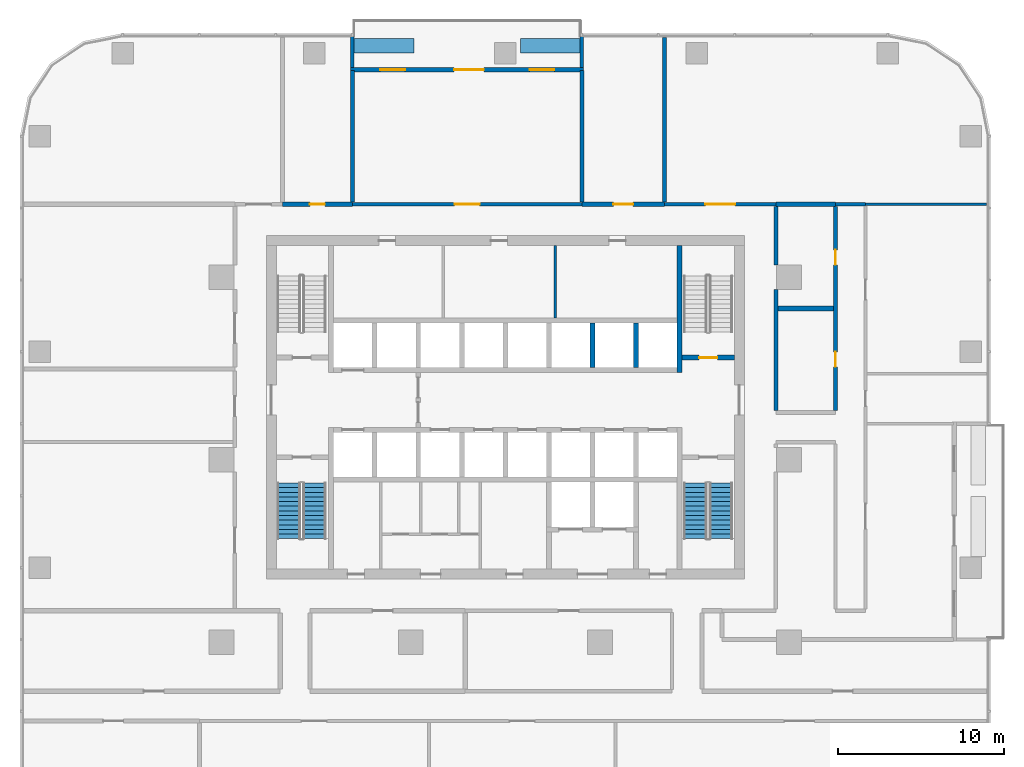
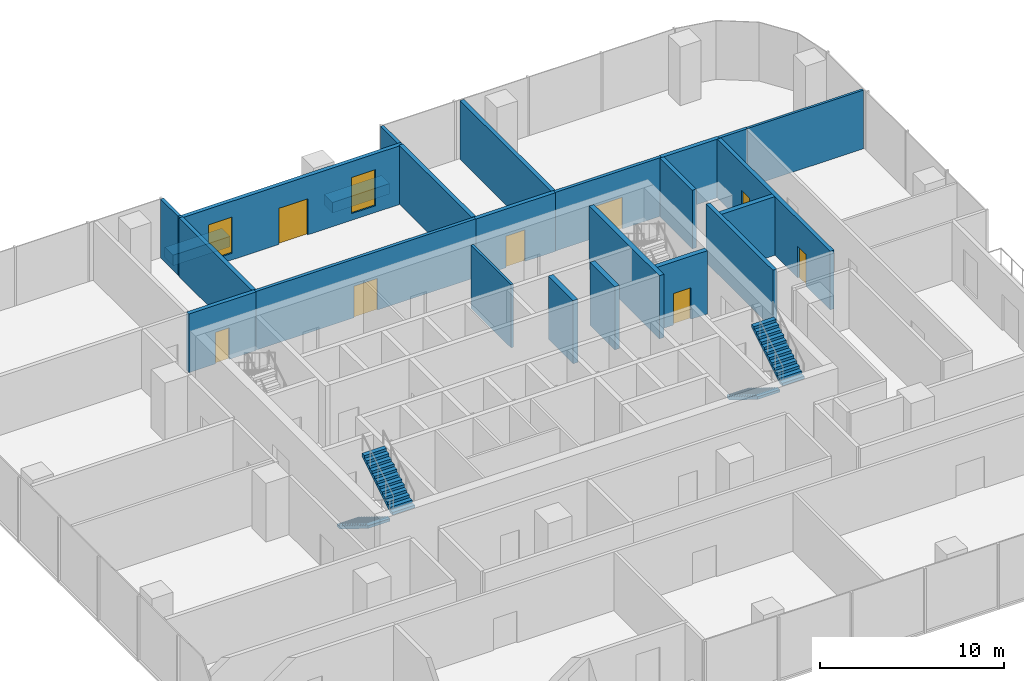
# One storey, part 10 of 14: 24 walls, 8 doors, 4 stair flights, 2 windows, 10 openings, 2 elements without a shape of their own.
"""IFC4 building model written with IfcOpenShell, lengths in metres."""

from ifc_helpers import new_model, si_unit, direction, frame, frame_2d, origin, place, context, subcontext, project, spatial, polyline, rectangle, outline, extrude, material, layer, layer_set, type_object, element, fill, aggregate, save


model = new_model("IFC4")

# Units and contexts
model_context = context("Model", 3, precision=1e-05, world=origin(), true_north=direction((0.0, 1.0)))
body_context = subcontext(model_context, "Body", "Model", "MODEL_VIEW")
ifc_project = project(units=[si_unit("LENGTHUNIT", "METRE"), si_unit("AREAUNIT", "SQUARE_METRE"), si_unit("VOLUMEUNIT", "CUBIC_METRE"), si_unit("PLANEANGLEUNIT", "RADIAN"), si_unit("MASSUNIT", "GRAM", prefix="KILO")], contexts=[model_context])

# Site, building, storey
site_placement = place(None, origin())
site = spatial("IfcSite", under=ifc_project, at=site_placement, CompositionType="ELEMENT")
building_placement = place(site_placement, origin())
building = spatial("IfcBuilding", under=site, at=building_placement, Name="Mopane Tessera Tower", CompositionType="ELEMENT")
storey_placement = place(building_placement, frame((0.0, 0.0, 144.10009765625)))
storey = spatial("IfcBuildingStorey", under=building, at=storey_placement, Name="L29", CompositionType="ELEMENT", Elevation=144.10009765625)

# Walls
ifc_material_1 = material(Name="Fire-rated gypsum board partition")
ifc_layer_1 = layer(ifc_material_1, 0.14990234375)
ifc_layer_set_1 = layer_set([ifc_layer_1], Name="Fire-rated gypsum board partition")
wall_type_1 = type_object("IfcWallType", Name="Core room partition 150 mm", PredefinedType="PARTITIONING", material=ifc_layer_set_1)
wall_1_placement = place(storey_placement, frame((3.0, 8.550048828125, 0.0), z_axis=(0.0, 0.0, 1.0), x_axis=(0.0, 1.0, 0.0)))
element("IfcWall", 1, at=wall_1_placement, inside=storey, type_object=wall_type_1, Name="L29 Room partition", PredefinedType="PARTITIONING", context=body_context, shape_type="SweptSolid", body=[
    extrude(rectangle(XDim=4.349853515625, YDim=0.14990234375, at=frame_2d((2.1748046875, 0.0))), origin(), (0.0, 0.0, 1.0), 4.199951171875),
])
ifc_material_2 = material(Name="Concrete C60/75", Category="concrete")
ifc_layer_2 = layer(ifc_material_2, 0.300048828125)
ifc_layer_set_2 = layer_set([ifc_layer_2], Name="Concrete C60/75")
wall_type_2 = type_object("IfcWallType", Name="Core spine wall 300 mm", PredefinedType="SHEAR", material=ifc_layer_set_2)
wall_2_placement = place(storey_placement, frame((10.5, 5.25, 0.0), z_axis=(0.0, 0.0, 1.0), x_axis=(0.0, 1.0, 0.0)))
element("IfcWall", 2, at=wall_2_placement, inside=storey, type_object=wall_type_2, Name="L29 Core spine wall", PredefinedType="SHEAR", context=body_context, shape_type="SweptSolid", body=[
    extrude(rectangle(XDim=7.64990234375, YDim=0.300048828125, at=frame_2d((3.824951171875, 0.0))), origin(), (0.0, 0.0, 1.0), 4.199951171875),
])

# Wall, opening, door
ifc_material_3 = material(Name="Gypsum board on steel studs, two layers each face, mineral wool infill", Category="steel")
ifc_layer_3 = layer(ifc_material_3, 0.199951171875)
ifc_layer_set_3 = layer_set([ifc_layer_3], Name="Gypsum board on steel studs, two layers each face, mineral wool infill")
wall_type_3 = type_object("IfcWallType", Name="Gypsum board corridor wall 200, rated EI 60", PredefinedType="PARTITIONING", material=ifc_layer_set_3)
wall_3_placement = place(storey_placement, frame((-9.219970703125, 15.39990234375, 0.0), z_axis=(0.0, 0.0, 1.0), x_axis=(1.0, 0.0, 0.0)))
wall_3 = element("IfcWall", 3, at=wall_3_placement, inside=storey, type_object=wall_type_3, Name="Partition L29:023", PredefinedType="PARTITIONING", context=body_context, shape_type="SweptSolid", body=[
    extrude(rectangle(XDim=13.830078125, YDim=0.199951171875, at=frame_2d((6.9150390625, 0.0))), origin(), (0.0, 0.0, 1.0), 3.89990234375),
])
opening_1_placement = place(wall_3_placement, frame((6.1650390625, 0.0, 0.0)))
opening_1 = element("IfcOpeningElement", 4, at=opening_1_placement, cuts=wall_3, Name="Opening L29-13", PredefinedType="OPENING", context=body_context, shape_type="SweptSolid", body=[
    extrude(rectangle(XDim=1.5, YDim=2.10009765625, at=frame_2d((0.75, 1.050048828125))), frame((0.0, 0.112060546875, 0.0), z_axis=(0.0, -1.0, 0.0), x_axis=(1.0, 0.0, 0.0)), (0.0, 0.0, 1.0), 0.223876953125),
])
ifc_material_4 = material(Name="Timber veneered steel-framed fire door", Category="steel")
door_type_1 = type_object("IfcDoorType", Name="Fire door pair FD60 1500 x 2100", OperationType="DOUBLE_DOOR_SINGLE_SWING", PredefinedType="DOOR", material=ifc_material_4)
door_1_placement = place(opening_1_placement, origin())
door_1 = element("IfcDoor", 5, at=door_1_placement, inside=storey, type_object=door_type_1, Name="Door L29-13", ObjectType="D17A", OperationType="DOUBLE_DOOR_SINGLE_SWING", OverallHeight=2.10009765625, OverallWidth=1.5, PredefinedType="DOOR", context=body_context, shape_type="SweptSolid", body=[
    extrude(rectangle(XDim=1.5, YDim=2.10009765625, at=frame_2d((0.75, 1.050048828125))), frame((0.0, 0.02490234375, 0.0), z_axis=(0.0, -1.0, 0.0), x_axis=(1.0, 0.0, 0.0)), (0.0, 0.0, 1.0), 0.050048828125),
])
fill(opening_1, door_1)

wall_4_placement = place(storey_placement, frame((9.60009765625, 15.39990234375, 0.0), z_axis=(0.0, 0.0, 1.0), x_axis=(1.0, 0.0, 0.0)))
wall_4 = element("IfcWall", 6, at=wall_4_placement, inside=storey, type_object=wall_type_3, Name="Partition L29:024", PredefinedType="PARTITIONING", context=body_context, shape_type="SweptSolid", body=[
    extrude(rectangle(XDim=6.699951171875, YDim=0.199951171875, at=frame_2d((3.35009765625, 0.0))), origin(), (0.0, 0.0, 1.0), 3.89990234375),
])
opening_2_placement = place(wall_4_placement, frame((2.449951171875, 0.0, 0.0)))
opening_2 = element("IfcOpeningElement", 7, at=opening_2_placement, cuts=wall_4, Name="Opening L29-19", PredefinedType="OPENING", context=body_context, shape_type="SweptSolid", body=[
    extrude(rectangle(XDim=1.800048828125, YDim=2.10009765625, at=frame_2d((0.89990234375, 1.050048828125))), frame((0.0, 0.112060546875, 0.0), z_axis=(0.0, -1.0, 0.0), x_axis=(1.0, 0.0, 0.0)), (0.0, 0.0, 1.0), 0.223876953125),
])
ifc_material_5 = material(Name="Timber veneered steel-framed fire door", Category="steel")
door_type_2 = type_object("IfcDoorType", Name="Fire door pair FD60 1800 x 2100", OperationType="DOUBLE_DOOR_SINGLE_SWING", PredefinedType="DOOR", material=ifc_material_5)
door_2_placement = place(opening_2_placement, origin())
door_2 = element("IfcDoor", 8, at=door_2_placement, inside=storey, type_object=door_type_2, Name="Door L29-19", ObjectType="D20A", OperationType="DOUBLE_DOOR_SINGLE_SWING", OverallHeight=2.10009765625, OverallWidth=1.800048828125, PredefinedType="DOOR", context=body_context, shape_type="SweptSolid", body=[
    extrude(rectangle(XDim=1.800048828125, YDim=2.10009765625, at=frame_2d((0.89990234375, 1.050048828125))), frame((0.0, 0.02490234375, 0.0), z_axis=(0.0, -1.0, 0.0), x_axis=(1.0, 0.0, 0.0)), (0.0, 0.0, 1.0), 0.050048828125),
])
fill(opening_2, door_2)

# Walls
wall_5_placement = place(storey_placement, frame((19.89990234375, 15.39990234375, 0.0), z_axis=(0.0, 0.0, 1.0), x_axis=(1.0, 0.0, 0.0)))
element("IfcWall", 9, at=wall_5_placement, inside=storey, type_object=wall_type_3, Name="Partition L29:025", PredefinedType="PARTITIONING", context=body_context, shape_type="SweptSolid", body=[
    extrude(rectangle(XDim=1.800048828125, YDim=0.199951171875, at=frame_2d((0.89990234375, 0.0))), origin(), (0.0, 0.0, 1.0), 3.89990234375),
])
ifc_material_6 = material(Name="Gypsum board on steel studs, mineral wool infill", Category="steel")
ifc_layer_4 = layer(ifc_material_6, 0.14990234375)
ifc_layer_set_4 = layer_set([ifc_layer_4], Name="Gypsum board on steel studs, mineral wool infill")
wall_type_4 = type_object("IfcWallType", Name="Gypsum board partition 150, rated EI 60", PredefinedType="PARTITIONING", material=ifc_layer_set_4)
wall_6_placement = place(storey_placement, frame((21.699951171875, 15.39990234375, 0.0), z_axis=(0.0, 0.0, 1.0), x_axis=(1.0, 0.0, 0.0)))
element("IfcWall", 10, at=wall_6_placement, inside=storey, type_object=wall_type_4, Name="Partition L29:021", PredefinedType="PARTITIONING", context=body_context, shape_type="SweptSolid", body=[
    extrude(rectangle(XDim=7.300048828125, YDim=0.14990234375, at=frame_2d((3.64990234375, 0.0))), origin(), (0.0, 0.0, 1.0), 3.89990234375),
])

# Wall, opening, door
ifc_material_7 = material(Name="Concrete C50/60", Category="concrete")
ifc_layer_5 = layer(ifc_material_7, 0.300048828125)
ifc_layer_set_5 = layer_set([ifc_layer_5], Name="Concrete C50/60")
wall_type_5 = type_object("IfcWallType", Name="Lift and stair shaft wall 300 mm", PredefinedType="SOLIDWALL", material=ifc_layer_set_5)
wall_7_placement = place(storey_placement, frame((10.64990234375, 6.14990234375, 0.0), z_axis=(0.0, 0.0, 1.0), x_axis=(1.0, 0.0, 0.0)))
wall_7 = element("IfcWall", 11, at=wall_7_placement, inside=storey, type_object=wall_type_5, Name="L29 Stair enclosure wall", PredefinedType="SOLIDWALL", context=body_context, shape_type="SweptSolid", body=[
    extrude(rectangle(XDim=3.150146484375, YDim=0.300048828125, at=frame_2d((1.5751953125, 0.0))), origin(), (0.0, 0.0, 1.0), 4.199951171875),
])
opening_3_placement = place(wall_7_placement, frame((1.02490234375, 0.0, 0.0)))
opening_3 = element("IfcOpeningElement", 12, at=opening_3_placement, cuts=wall_7, Name="Opening SD1", PredefinedType="OPENING", context=body_context, shape_type="SweptSolid", body=[
    extrude(rectangle(XDim=1.10009765625, YDim=2.10009765625, at=frame_2d((0.550048828125, 1.050048828125))), frame((0.0, 0.162109375, 0.0), z_axis=(0.0, -1.0, 0.0), x_axis=(1.0, 0.0, 0.0)), (0.0, 0.0, 1.0), 0.323974609375),
])
ifc_material_8 = material(Name="Steel fire door", Category="steel")
door_type_3 = type_object("IfcDoorType", Name="Stair fire door 1100 x 2100", OperationType="SINGLE_SWING_LEFT", PredefinedType="DOOR", material=ifc_material_8)
door_3_placement = place(opening_3_placement, origin())
door_3 = element("IfcDoor", 13, at=door_3_placement, inside=storey, type_object=door_type_3, Name="L29 Stair door ST4", OperationType="SINGLE_SWING_RIGHT", OverallHeight=2.10009765625, OverallWidth=1.10009765625, PredefinedType="DOOR", context=body_context, shape_type="SweptSolid", body=[
    extrude(rectangle(XDim=1.10009765625, YDim=2.10009765625, at=frame_2d((0.550048828125, 1.050048828125))), frame((0.0, 0.02490234375, 0.0), z_axis=(0.0, -1.0, 0.0), x_axis=(1.0, 0.0, 0.0)), (0.0, 0.0, 1.0), 0.050048828125),
])
fill(opening_3, door_3)

# Walls
for number, where, z_axis, x_axis, name in (
    (14, (5.25, 5.550048828125, 0.0), (0.0, 0.0, 1.0), (0.0, 1.0, 0.0), "L29 Lift shaft wall"),
    (15, (7.875, 5.550048828125, 0.0), (0.0, 0.0, 1.0), (0.0, 1.0, 0.0), "L29 Lift shaft wall"),
):
    element("IfcWall", number, at=place(storey_placement, frame(where, z_axis=z_axis, x_axis=x_axis)), inside=storey, type_object=wall_type_5, Name=name, PredefinedType="SOLIDWALL", context=body_context, shape_type="SweptSolid", body=[
        extrude(rectangle(XDim=2.699951171875, YDim=0.300048828125, at=frame_2d((1.35009765625, 0.0))), origin(), (0.0, 0.0, 1.0), 4.199951171875),
    ])
ifc_material_9 = material(Name="Reinforced concrete C32/40 with waterproofing", Category="concrete")
ifc_layer_6 = layer(ifc_material_9, 0.89990234375)
ifc_layer_set_6 = layer_set([ifc_layer_6], Name="Reinforced concrete C32/40 with waterproofing")
wall_type_6 = type_object("IfcWallType", Name="Planter trough 3600 x 900", PredefinedType="STANDARD", material=ifc_layer_set_6)
for number, where, z_axis, x_axis, name in (
    (16, (4.510009765625, 24.949951171875, 0.0), (0.0, 0.0, 1.0), (-1.0, 0.0, 0.0), "e:nw:L29:N1:pl0"),
    (17, (-5.52001953125, 24.949951171875, 0.0), (0.0, 0.0, 1.0), (-1.0, 0.0, 0.0), "e:nw:L29:N1:pl1"),
):
    element("IfcWall", number, at=place(storey_placement, frame(where, z_axis=z_axis, x_axis=x_axis)), inside=storey, type_object=wall_type_6, Name=name, PredefinedType="STANDARD", context=body_context, shape_type="SweptSolid", body=[
        extrude(rectangle(XDim=3.60009765625, YDim=0.89990234375, at=frame_2d((1.800048828125, 0.0))), origin(), (0.0, 0.0, 1.0), 0.699951171875),
    ])
ifc_material_10 = material(Name="Plastered concrete blockwork C20/25", Category="masonry")
ifc_layer_7 = layer(ifc_material_10, 0.300048828125)
ifc_layer_set_7 = layer_set([ifc_layer_7], Name="Plastered concrete blockwork C20/25")
wall_type_7 = type_object("IfcWallType", Name="Plastered blockwork separation wall 300, rated EI 120", PredefinedType="PARTITIONING", material=ifc_layer_set_7)
wall_8_placement = place(storey_placement, frame((16.425048828125, 9.125, 0.0), z_axis=(0.0, 0.0, 1.0), x_axis=(1.0, 0.0, 0.0)))
element("IfcWall", 18, at=wall_8_placement, inside=storey, type_object=wall_type_7, Name="Partition L29:020", PredefinedType="PARTITIONING", context=body_context, shape_type="SweptSolid", body=[
    extrude(rectangle(XDim=3.349853515625, YDim=0.300048828125, at=frame_2d((1.6748046875, 0.0))), origin(), (0.0, 0.0, 1.0), 3.89990234375),
])

# Wall, opening, door
ifc_material_11 = material(Name="Plastered concrete blockwork C20/25", Category="masonry")
ifc_layer_8 = layer(ifc_material_11, 0.25)
ifc_layer_set_8 = layer_set([ifc_layer_8], Name="Plastered concrete blockwork C20/25")
wall_type_8 = type_object("IfcWallType", Name="Plastered blockwork wall 250, rated EI 120", PredefinedType="PARTITIONING", material=ifc_layer_set_8)
wall_9_placement = place(storey_placement, frame((-13.43994140625, 15.39990234375, 0.0), z_axis=(0.0, 0.0, 1.0), x_axis=(1.0, 0.0, 0.0)))
wall_9 = element("IfcWall", 19, at=wall_9_placement, inside=storey, type_object=wall_type_8, Name="Partition L29:027", PredefinedType="PARTITIONING", context=body_context, shape_type="SweptSolid", body=[
    extrude(rectangle(XDim=4.219970703125, YDim=0.25, at=frame_2d((2.10986328125, 0.0))), origin(), (0.0, 0.0, 1.0), 3.89990234375),
])
opening_4_placement = place(wall_9_placement, frame((1.659912109375, 0.0, 0.0)))
opening_4 = element("IfcOpeningElement", 20, at=opening_4_placement, cuts=wall_9, Name="Opening L29-16", PredefinedType="OPENING", context=body_context, shape_type="SweptSolid", body=[
    extrude(rectangle(XDim=0.89990234375, YDim=2.10009765625, at=frame_2d((0.449951171875, 1.050048828125))), frame((0.0, 0.136962890625, 0.0), z_axis=(0.0, -1.0, 0.0), x_axis=(1.0, 0.0, 0.0)), (0.0, 0.0, 1.0), 0.27392578125),
])
ifc_material_12 = material(Name="Timber veneered steel-framed fire door", Category="steel")
door_type_4 = type_object("IfcDoorType", Name="Fire door FD120 900 x 2100", OperationType="SINGLE_SWING_LEFT", PredefinedType="DOOR", material=ifc_material_12)
door_4_placement = place(opening_4_placement, origin())
door_4 = element("IfcDoor", 21, at=door_4_placement, inside=storey, type_object=door_type_4, Name="Door L29-16", ObjectType="D10B", OperationType="SINGLE_SWING_RIGHT", OverallHeight=2.10009765625, OverallWidth=0.89990234375, PredefinedType="DOOR", context=body_context, shape_type="SweptSolid", body=[
    extrude(rectangle(XDim=0.89990234375, YDim=2.10009765625, at=frame_2d((0.449951171875, 1.050048828125))), frame((0.0, 0.02490234375, 0.0), z_axis=(0.0, -1.0, 0.0), x_axis=(1.0, 0.0, 0.0)), (0.0, 0.0, 1.0), 0.050048828125),
])
fill(opening_4, door_4)

wall_10_placement = place(storey_placement, frame((4.610107421875, 15.39990234375, 0.0), z_axis=(0.0, 0.0, 1.0), x_axis=(1.0, 0.0, 0.0)))
wall_10 = element("IfcWall", 22, at=wall_10_placement, inside=storey, type_object=wall_type_8, Name="Partition L29:028", PredefinedType="PARTITIONING", context=body_context, shape_type="SweptSolid", body=[
    extrude(rectangle(XDim=4.989990234375, YDim=0.25, at=frame_2d((2.4951171875, 0.0))), origin(), (0.0, 0.0, 1.0), 3.89990234375),
])
opening_5_placement = place(wall_10_placement, frame((1.89501953125, 0.0, 0.0)))
opening_5 = element("IfcOpeningElement", 23, at=opening_5_placement, cuts=wall_10, Name="Opening L29-08", PredefinedType="OPENING", context=body_context, shape_type="SweptSolid", body=[
    extrude(rectangle(XDim=1.199951171875, YDim=2.10009765625, at=frame_2d((0.60009765625, 1.050048828125))), frame((0.0, 0.136962890625, 0.0), z_axis=(0.0, -1.0, 0.0), x_axis=(1.0, 0.0, 0.0)), (0.0, 0.0, 1.0), 0.27392578125),
])
ifc_material_13 = material(Name="Timber veneered steel-framed fire door", Category="steel")
door_type_5 = type_object("IfcDoorType", Name="Fire door FD120 1200 x 2100", OperationType="SINGLE_SWING_LEFT", PredefinedType="DOOR", material=ifc_material_13)
door_5_placement = place(opening_5_placement, origin())
door_5 = element("IfcDoor", 24, at=door_5_placement, inside=storey, type_object=door_type_5, Name="Door L29-08", ObjectType="D15B", OperationType="SINGLE_SWING_RIGHT", OverallHeight=2.10009765625, OverallWidth=1.199951171875, PredefinedType="DOOR", context=body_context, shape_type="SweptSolid", body=[
    extrude(rectangle(XDim=1.199951171875, YDim=2.10009765625, at=frame_2d((0.60009765625, 1.050048828125))), frame((0.0, 0.02490234375, 0.0), z_axis=(0.0, -1.0, 0.0), x_axis=(1.0, 0.0, 0.0)), (0.0, 0.0, 1.0), 0.050048828125),
])
fill(opening_5, door_5)

# Walls
wall_11_placement = place(storey_placement, frame((16.300048828125, 15.39990234375, 0.0), z_axis=(0.0, 0.0, 1.0), x_axis=(1.0, 0.0, 0.0)))
element("IfcWall", 25, at=wall_11_placement, inside=storey, type_object=wall_type_8, Name="Partition L29:029", PredefinedType="PARTITIONING", context=body_context, shape_type="SweptSolid", body=[
    extrude(rectangle(XDim=3.599853515625, YDim=0.25, at=frame_2d((1.7998046875, 0.0))), origin(), (0.0, 0.0, 1.0), 3.89990234375),
])
for number, where, z_axis, x_axis, name in (
    (26, (-9.219970703125, 15.52490234375, 0.0), (0.0, 0.0, 1.0), (0.0, 1.0, 0.0), "Partition L29:038"),
    (27, (4.610107421875, 15.52490234375, 0.0), (0.0, 0.0, 1.0), (0.0, 1.0, 0.0), "Partition L29:041"),
):
    element("IfcWall", number, at=place(storey_placement, frame(where, z_axis=z_axis, x_axis=x_axis)), inside=storey, type_object=wall_type_8, Name=name, PredefinedType="PARTITIONING", context=body_context, shape_type="SweptSolid", body=[
        extrude(rectangle(XDim=7.925048828125, YDim=0.25, at=frame_2d((3.96240234375, 0.0))), origin(), (0.0, 0.0, 1.0), 3.89990234375),
    ])
wall_12_placement = place(storey_placement, frame((9.60009765625, 15.52490234375, 0.0), z_axis=(0.0, 0.0, 1.0), x_axis=(0.0, 1.0, 0.0)))
element("IfcWall", 28, at=wall_12_placement, inside=storey, type_object=wall_type_8, Name="Partition L29:043", PredefinedType="PARTITIONING", context=body_context, shape_type="SweptSolid", body=[
    extrude(rectangle(XDim=9.925048828125, YDim=0.25, at=frame_2d((4.96240234375, 0.0))), origin(), (0.0, 0.0, 1.0), 3.89990234375),
])
wall_13_placement = place(storey_placement, frame((16.300048828125, 2.97509765625, 0.0), z_axis=(0.0, 0.0, 1.0), x_axis=(0.0, 1.0, 0.0)))
element("IfcWall", 29, at=wall_13_placement, inside=storey, type_object=wall_type_8, Name="Partition L29:049", PredefinedType="PARTITIONING", context=body_context, shape_type="SweptSolid", body=[
    extrude(rectangle(XDim=7.27490234375, YDim=0.25, at=frame_2d((3.637451171875, 0.0))), origin(), (0.0, 0.0, 1.0), 3.89990234375),
])
wall_14_placement = place(storey_placement, frame((16.300048828125, 11.75, 0.0), z_axis=(0.0, 0.0, 1.0), x_axis=(0.0, 1.0, 0.0)))
element("IfcWall", 30, at=wall_14_placement, inside=storey, type_object=wall_type_8, Name="Partition L29:050", PredefinedType="PARTITIONING", context=body_context, shape_type="SweptSolid", body=[
    extrude(rectangle(XDim=3.52490234375, YDim=0.25, at=frame_2d((1.762451171875, 0.0))), origin(), (0.0, 0.0, 1.0), 3.89990234375),
])

# Wall, openings, doors
wall_15_placement = place(storey_placement, frame((19.89990234375, 2.97509765625, 0.0), z_axis=(0.0, 0.0, 1.0), x_axis=(0.0, 1.0, 0.0)))
wall_15 = element("IfcWall", 31, at=wall_15_placement, inside=storey, type_object=wall_type_8, Name="Partition L29:052", PredefinedType="PARTITIONING", context=body_context, shape_type="SweptSolid", body=[
    extrude(rectangle(XDim=12.2998046875, YDim=0.25, at=frame_2d((6.14990234375, 0.0))), origin(), (0.0, 0.0, 1.0), 3.89990234375),
])
opening_6_placement = place(wall_15_placement, frame((8.77490234375, 0.0, 0.0)))
opening_6 = element("IfcOpeningElement", 32, at=opening_6_placement, cuts=wall_15, Name="Opening L29-09", PredefinedType="OPENING", context=body_context, shape_type="SweptSolid", body=[
    extrude(rectangle(XDim=0.89990234375, YDim=2.10009765625, at=frame_2d((0.449951171875, 1.050048828125))), frame((0.0, 0.136962890625, 0.0), z_axis=(0.0, -1.0, 0.0), x_axis=(1.0, 0.0, 0.0)), (0.0, 0.0, 1.0), 0.27392578125),
])
opening_7_placement = place(wall_15_placement, frame((2.625, 0.0, 0.0)))
opening_7 = element("IfcOpeningElement", 33, at=opening_7_placement, cuts=wall_15, Name="Opening L29-17", PredefinedType="OPENING", context=body_context, shape_type="SweptSolid", body=[
    extrude(rectangle(XDim=0.89990234375, YDim=2.10009765625, at=frame_2d((0.449951171875, 1.050048828125))), frame((0.0, 0.136962890625, 0.0), z_axis=(0.0, -1.0, 0.0), x_axis=(1.0, 0.0, 0.0)), (0.0, 0.0, 1.0), 0.27392578125),
])
door_6_placement = place(opening_6_placement, origin())
door_6 = element("IfcDoor", 34, at=door_6_placement, inside=storey, type_object=door_type_4, Name="Door L29-09", ObjectType="D10B", OperationType="SINGLE_SWING_LEFT", OverallHeight=2.10009765625, OverallWidth=0.89990234375, PredefinedType="DOOR", context=body_context, shape_type="SweptSolid", body=[
    extrude(rectangle(XDim=0.89990234375, YDim=2.10009765625, at=frame_2d((0.449951171875, 1.050048828125))), frame((0.0, 0.02490234375, 0.0), z_axis=(0.0, -1.0, 0.0), x_axis=(1.0, 0.0, 0.0)), (0.0, 0.0, 1.0), 0.050048828125),
])
fill(opening_6, door_6)
door_7_placement = place(opening_7_placement, origin())
door_7 = element("IfcDoor", 35, at=door_7_placement, inside=storey, type_object=door_type_4, Name="Door L29-17", ObjectType="D10B", OperationType="SINGLE_SWING_LEFT", OverallHeight=2.10009765625, OverallWidth=0.89990234375, PredefinedType="DOOR", context=body_context, shape_type="SweptSolid", body=[
    extrude(rectangle(XDim=0.89990234375, YDim=2.10009765625, at=frame_2d((0.449951171875, 1.050048828125))), frame((0.0, 0.02490234375, 0.0), z_axis=(0.0, -1.0, 0.0), x_axis=(1.0, 0.0, 0.0)), (0.0, 0.0, 1.0), 0.050048828125),
])
fill(opening_7, door_7)

# Walls
ifc_material_14 = material(Name="Blockwork with glazed tile facing", Category="masonry")
ifc_layer_9 = layer(ifc_material_14, 0.199951171875)
ifc_layer_set_9 = layer_set([ifc_layer_9], Name="Blockwork with glazed tile facing")
wall_type_9 = type_object("IfcWallType", Name="Terrace cheek wall 200", PredefinedType="STANDARD", material=ifc_layer_set_9)
for number, where, z_axis, x_axis, name in (
    (36, (4.610107421875, 25.5, 0.0), (0.0, 0.0, 1.0), (0.0, -1.0, 0.0), "e:nw:L29:N1:cheeka"),
    (37, (-9.219970703125, 25.5, 0.0), (0.0, 0.0, 1.0), (0.0, -1.0, 0.0), "e:nw:L29:N1:cheekb"),
):
    element("IfcWall", number, at=place(storey_placement, frame(where, z_axis=z_axis, x_axis=x_axis)), inside=storey, type_object=wall_type_9, Name=name, PredefinedType="STANDARD", context=body_context, shape_type="SweptSolid", body=[
        extrude(rectangle(XDim=1.875, YDim=0.199951171875, at=frame_2d((0.9375, 0.0))), origin(), (0.0, 0.0, 1.0), 3.89990234375),
    ])

# Wall, openings, windows, door
ifc_material_15 = material(Name="Blockwork with ultramarine glazed tile facing", Category="masonry")
ifc_layer_10 = layer(ifc_material_15, 0.25)
ifc_layer_set_10 = layer_set([ifc_layer_10], Name="Blockwork with ultramarine glazed tile facing")
wall_type_10 = type_object("IfcWallType", Name="Tile-clad external wall 250, ultramarine", PredefinedType="STANDARD", material=ifc_layer_set_10)
wall_16_placement = place(storey_placement, frame((4.7099609375, 23.5, 0.0), z_axis=(0.0, 0.0, 1.0), x_axis=(-1.0, 0.0, 0.0)))
wall_16 = element("IfcWall", 38, at=wall_16_placement, inside=storey, type_object=wall_type_10, Name="e:nw:L29:N1:back", PredefinedType="STANDARD", context=body_context, shape_type="SweptSolid", body=[
    extrude(rectangle(XDim=14.030029296875, YDim=0.25, at=frame_2d((7.01513671875, 0.0))), origin(), (0.0, 0.0, 1.0), 3.89990234375),
])
opening_8_placement = place(wall_16_placement, frame((1.75, 0.0, 0.449951171875)))
opening_8 = element("IfcOpeningElement", 39, at=opening_8_placement, cuts=wall_16, Name="Opening NW291A", PredefinedType="OPENING", context=body_context, shape_type="SweptSolid", body=[
    extrude(rectangle(XDim=1.5, YDim=2.39990234375, at=frame_2d((0.75, 1.199951171875))), frame((0.0, 0.136962890625, 0.0), z_axis=(0.0, -1.0, 0.0), x_axis=(1.0, 0.0, 0.0)), (0.0, 0.0, 1.0), 0.27392578125),
])
opening_9_placement = place(wall_16_placement, frame((6.0, 0.0, 0.0)))
opening_9 = element("IfcOpeningElement", 40, at=opening_9_placement, cuts=wall_16, Name="Opening ND291", PredefinedType="OPENING", context=body_context, shape_type="SweptSolid", body=[
    extrude(rectangle(XDim=1.800048828125, YDim=2.39990234375, at=frame_2d((0.89990234375, 1.199951171875))), frame((0.0, 0.136962890625, 0.0), z_axis=(0.0, -1.0, 0.0), x_axis=(1.0, 0.0, 0.0)), (0.0, 0.0, 1.0), 0.27392578125),
])
opening_10_placement = place(wall_16_placement, frame((10.75, 0.0, 0.449951171875)))
opening_10 = element("IfcOpeningElement", 41, at=opening_10_placement, cuts=wall_16, Name="Opening NW291B", PredefinedType="OPENING", context=body_context, shape_type="SweptSolid", body=[
    extrude(rectangle(XDim=1.5, YDim=2.39990234375, at=frame_2d((0.75, 1.199951171875))), frame((0.0, 0.136962890625, 0.0), z_axis=(0.0, -1.0, 0.0), x_axis=(1.0, 0.0, 0.0)), (0.0, 0.0, 1.0), 0.27392578125),
])
ifc_material_16 = material(Name="Clear laminated glass", Category="glass")
window_type = type_object("IfcWindowType", Name="Fixed window 1500 x 2400", PartitioningType="SINGLE_PANEL", PredefinedType="WINDOW", material=ifc_material_16)
window_1_placement = place(opening_8_placement, origin())
window_1 = element("IfcWindow", 42, at=window_1_placement, inside=storey, type_object=window_type, Name="e:nw:L29:N1:win0", OverallHeight=2.39990234375, OverallWidth=1.5, PartitioningType="SINGLE_PANEL", PredefinedType="WINDOW", context=body_context, shape_type="SweptSolid", body=[
    extrude(rectangle(XDim=1.5, YDim=2.39990234375, at=frame_2d((0.75, 1.199951171875))), frame((0.0, 0.030029296875, 0.0), z_axis=(0.0, -1.0, 0.0), x_axis=(1.0, 0.0, 0.0)), (0.0, 0.0, 1.0), 0.06005859375),
])
fill(opening_8, window_1)
window_2_placement = place(opening_10_placement, origin())
window_2 = element("IfcWindow", 43, at=window_2_placement, inside=storey, type_object=window_type, Name="e:nw:L29:N1:win2", OverallHeight=2.39990234375, OverallWidth=1.5, PartitioningType="SINGLE_PANEL", PredefinedType="WINDOW", context=body_context, shape_type="SweptSolid", body=[
    extrude(rectangle(XDim=1.5, YDim=2.39990234375, at=frame_2d((0.75, 1.199951171875))), frame((0.0, 0.030029296875, 0.0), z_axis=(0.0, -1.0, 0.0), x_axis=(1.0, 0.0, 0.0)), (0.0, 0.0, 1.0), 0.06005859375),
])
fill(opening_10, window_2)
ifc_material_17 = material(Name="Aluminium and clear glass", Category="aluminium")
door_type_6 = type_object("IfcDoorType", Name="Terrace double door 1800 x 2400", OperationType="DOUBLE_DOOR_SINGLE_SWING", PredefinedType="DOOR", material=ifc_material_17)
door_8_placement = place(opening_9_placement, origin())
door_8 = element("IfcDoor", 44, at=door_8_placement, inside=storey, type_object=door_type_6, Name="e:nw:L29:N1:door", ObjectType="D1", OperationType="DOUBLE_DOOR_SINGLE_SWING", OverallHeight=2.39990234375, OverallWidth=1.800048828125, PredefinedType="DOOR", context=body_context, shape_type="SweptSolid", body=[
    extrude(rectangle(XDim=1.800048828125, YDim=2.39990234375, at=frame_2d((0.89990234375, 1.199951171875))), frame((0.0, 0.02490234375, 0.0), z_axis=(0.0, -1.0, 0.0), x_axis=(1.0, 0.0, 0.0)), (0.0, 0.0, 1.0), 0.050048828125),
])
fill(opening_9, door_8)

# Stair, stair flights
ifc_material_18 = material(Name="Concrete C50/60", Category="concrete")
stair_type = type_object("IfcStairType", Name="Escape stair 1400 mm, riser 173 mm", PredefinedType="HALF_TURN_STAIR", material=ifc_material_18)
stair_1_placement = place(storey_placement, origin())
stair_1 = element("IfcStair", 45, at=stair_1_placement, inside=storey, type_object=stair_type, Name="L29 Escape stair south-west", PredefinedType="HALF_TURN_STAIR")
ifc_material_19 = material(Name="Concrete C50/60", Category="concrete")
stair_flight_type = type_object("IfcStairFlightType", Name="Escape stair flight 1400 mm", PredefinedType="STRAIGHT", material=ifc_material_19)
stair_flight_1_placement = place(storey_placement, frame((-13.050048828125, -1.39990234375, 0.0), z_axis=(0.0, 0.0, 1.0), x_axis=(0.0, -1.0, 0.0)))
stair_flight_1 = element("IfcStairFlight", 46, at=stair_flight_1_placement, type_object=stair_flight_type, Name="ST1 flight 1", NumberOfRisers=13, NumberOfTreads=12, PredefinedType="STRAIGHT", RiserHeight=0.173076923, TreadLength=0.28, context=body_context, shape_type="SweptSolid", body=[
    extrude(outline(polyline([(0.0, 0.0), (0.0, 0.173095703125), (0.280029296875, 0.173095703125), (0.280029296875, 0.34619140625), (0.56005859375, 0.34619140625), (0.56005859375, 0.519287109375), (0.840087890625, 0.519287109375), (0.840087890625, 0.6923828125), (1.1201171875, 0.6923828125), (1.1201171875, 0.865478515625), (1.39990234375, 0.865478515625), (1.39990234375, 1.03857421875), (1.679931640625, 1.03857421875), (1.679931640625, 1.21142578125), (1.9599609375, 1.21142578125), (1.9599609375, 1.384521484375), (2.239990234375, 1.384521484375), (2.239990234375, 1.5576171875), (2.52001953125, 1.5576171875), (2.52001953125, 1.730712890625), (2.800048828125, 1.730712890625), (2.800048828125, 1.90380859375), (3.080078125, 1.90380859375), (3.080078125, 2.076904296875), (3.360107421875, 2.076904296875), (3.360107421875, 2.25), (3.360107421875, 1.900634765625), (0.28515625, 0.0), (0.0, 0.0)])), frame((0.0, 0.699951171875, 0.0), z_axis=(0.0, -1.0, 0.0), x_axis=(1.0, 0.0, 0.0)), (0.0, 0.0, 1.0), 1.39990234375),
])
stair_flight_2_placement = place(storey_placement, frame((-11.5, -4.760009765625, 2.25), z_axis=(0.0, 0.0, 1.0), x_axis=(0.0, 1.0, 0.0)))
stair_flight_2 = element("IfcStairFlight", 47, at=stair_flight_2_placement, type_object=stair_flight_type, Name="ST1 flight 2", NumberOfRisers=13, NumberOfTreads=12, PredefinedType="STRAIGHT", RiserHeight=0.173076923, TreadLength=0.28, context=body_context, shape_type="SweptSolid", body=[
    extrude(outline(polyline([(0.0, 0.0), (0.0, 0.173095703125), (0.280029296875, 0.173095703125), (0.280029296875, 0.34619140625), (0.56005859375, 0.34619140625), (0.56005859375, 0.519287109375), (0.840087890625, 0.519287109375), (0.840087890625, 0.6923828125), (1.1201171875, 0.6923828125), (1.1201171875, 0.865478515625), (1.39990234375, 0.865478515625), (1.39990234375, 1.03857421875), (1.679931640625, 1.03857421875), (1.679931640625, 1.21142578125), (1.9599609375, 1.21142578125), (1.9599609375, 1.384521484375), (2.239990234375, 1.384521484375), (2.239990234375, 1.5576171875), (2.52001953125, 1.5576171875), (2.52001953125, 1.730712890625), (2.800048828125, 1.730712890625), (2.800048828125, 1.90380859375), (3.080078125, 1.90380859375), (3.080078125, 2.076904296875), (3.360107421875, 2.076904296875), (3.360107421875, 2.25), (3.360107421875, 1.900634765625), (0.28515625, 0.0), (0.0, 0.0)])), frame((0.0, 0.699951171875, 0.0), z_axis=(0.0, -1.0, 0.0), x_axis=(1.0, 0.0, 0.0)), (0.0, 0.0, 1.0), 1.39990234375),
])
aggregate(stair_1, [stair_flight_1, stair_flight_2])

stair_2_placement = place(storey_placement, origin())
stair_2 = element("IfcStair", 48, at=stair_2_placement, inside=storey, type_object=stair_type, Name="L29 Escape stair south-east", PredefinedType="HALF_TURN_STAIR")
stair_flight_3_placement = place(storey_placement, frame((11.449951171875, -1.39990234375, 0.0), z_axis=(0.0, 0.0, 1.0), x_axis=(0.0, -1.0, 0.0)))
stair_flight_3 = element("IfcStairFlight", 49, at=stair_flight_3_placement, type_object=stair_flight_type, Name="ST3 flight 1", NumberOfRisers=13, NumberOfTreads=12, PredefinedType="STRAIGHT", RiserHeight=0.173076923, TreadLength=0.28, context=body_context, shape_type="SweptSolid", body=[
    extrude(outline(polyline([(0.0, 0.0), (0.0, 0.173095703125), (0.280029296875, 0.173095703125), (0.280029296875, 0.34619140625), (0.56005859375, 0.34619140625), (0.56005859375, 0.519287109375), (0.840087890625, 0.519287109375), (0.840087890625, 0.6923828125), (1.1201171875, 0.6923828125), (1.1201171875, 0.865478515625), (1.39990234375, 0.865478515625), (1.39990234375, 1.03857421875), (1.679931640625, 1.03857421875), (1.679931640625, 1.21142578125), (1.9599609375, 1.21142578125), (1.9599609375, 1.384521484375), (2.239990234375, 1.384521484375), (2.239990234375, 1.5576171875), (2.52001953125, 1.5576171875), (2.52001953125, 1.730712890625), (2.800048828125, 1.730712890625), (2.800048828125, 1.90380859375), (3.080078125, 1.90380859375), (3.080078125, 2.076904296875), (3.360107421875, 2.076904296875), (3.360107421875, 2.25), (3.360107421875, 1.900634765625), (0.28515625, 0.0), (0.0, 0.0)])), frame((0.0, 0.699951171875, 0.0), z_axis=(0.0, -1.0, 0.0), x_axis=(1.0, 0.0, 0.0)), (0.0, 0.0, 1.0), 1.39990234375),
])
stair_flight_4_placement = place(storey_placement, frame((13.0, -4.760009765625, 2.25), z_axis=(0.0, 0.0, 1.0), x_axis=(0.0, 1.0, 0.0)))
stair_flight_4 = element("IfcStairFlight", 50, at=stair_flight_4_placement, type_object=stair_flight_type, Name="ST3 flight 2", NumberOfRisers=13, NumberOfTreads=12, PredefinedType="STRAIGHT", RiserHeight=0.173076923, TreadLength=0.28, context=body_context, shape_type="SweptSolid", body=[
    extrude(outline(polyline([(0.0, 0.0), (0.0, 0.173095703125), (0.280029296875, 0.173095703125), (0.280029296875, 0.34619140625), (0.56005859375, 0.34619140625), (0.56005859375, 0.519287109375), (0.840087890625, 0.519287109375), (0.840087890625, 0.6923828125), (1.1201171875, 0.6923828125), (1.1201171875, 0.865478515625), (1.39990234375, 0.865478515625), (1.39990234375, 1.03857421875), (1.679931640625, 1.03857421875), (1.679931640625, 1.21142578125), (1.9599609375, 1.21142578125), (1.9599609375, 1.384521484375), (2.239990234375, 1.384521484375), (2.239990234375, 1.5576171875), (2.52001953125, 1.5576171875), (2.52001953125, 1.730712890625), (2.800048828125, 1.730712890625), (2.800048828125, 1.90380859375), (3.080078125, 1.90380859375), (3.080078125, 2.076904296875), (3.360107421875, 2.076904296875), (3.360107421875, 2.25), (3.360107421875, 1.900634765625), (0.28515625, 0.0), (0.0, 0.0)])), frame((0.0, 0.699951171875, 0.0), z_axis=(0.0, -1.0, 0.0), x_axis=(1.0, 0.0, 0.0)), (0.0, 0.0, 1.0), 1.39990234375),
])
aggregate(stair_2, [stair_flight_3, stair_flight_4])

save(model, "model.ifc")
